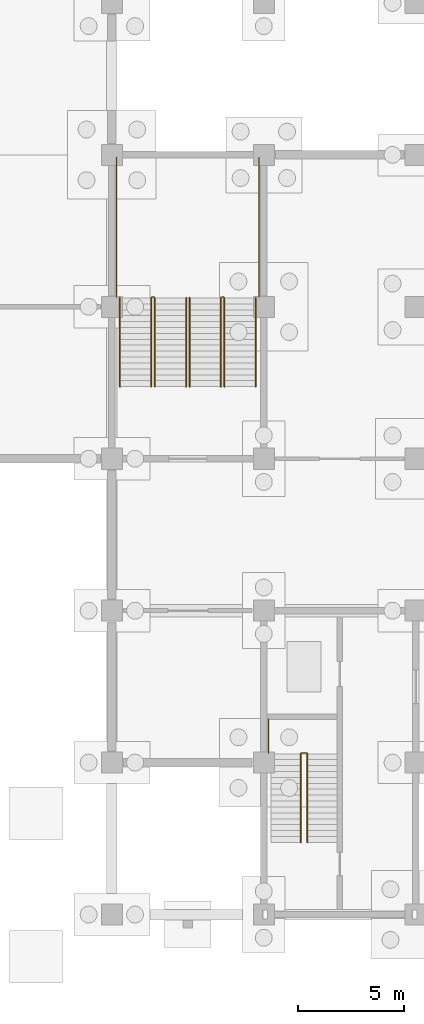
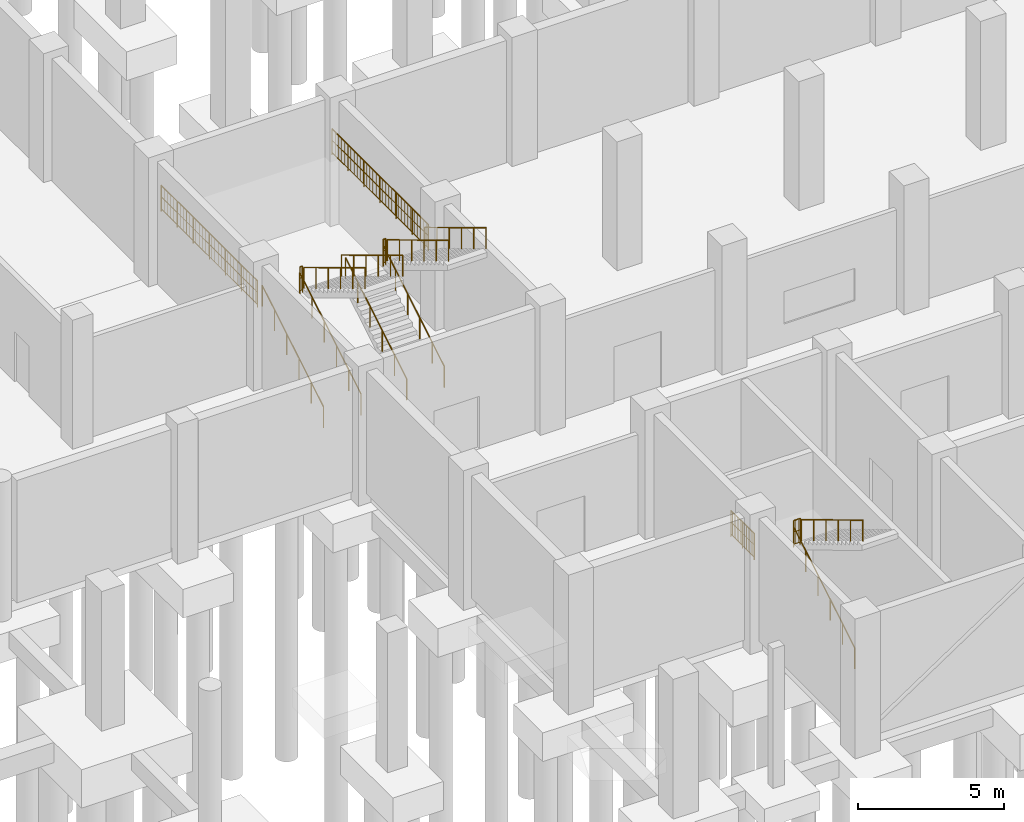
# One storey, part 30 of 35: 16 railings.
"""IFC4 building model written with IfcOpenShell, lengths in metres."""

from ifc_helpers import new_model, si_unit, direction, frame, origin, origin_2d, place, context, subcontext, project, spatial, circle, extrude, material, type_object, element, save


model = new_model("IFC4")

# Units and contexts
model_context = context("Model", 3, precision=1e-05, world=origin(), true_north=direction((0.0, 1.0)))
body_context = subcontext(model_context, "Body", "Model", "MODEL_VIEW")
ifc_project = project(units=[si_unit("LENGTHUNIT", "METRE"), si_unit("AREAUNIT", "SQUARE_METRE"), si_unit("VOLUMEUNIT", "CUBIC_METRE"), si_unit("PLANEANGLEUNIT", "RADIAN"), si_unit("MASSUNIT", "GRAM", prefix="KILO")], contexts=[model_context])

# Site, building, storey
site_placement = place(None, origin())
site = spatial("IfcSite", under=ifc_project, at=site_placement, CompositionType="ELEMENT")
building_placement = place(site_placement, origin())
building = spatial("IfcBuilding", under=site, at=building_placement, Name="Vesperath Aquatics Centre", CompositionType="ELEMENT")
storey_placement = place(building_placement, frame((0.0, 0.0, -5.39990234375)))
storey = spatial("IfcBuildingStorey", under=building, at=storey_placement, Name="B1", CompositionType="ELEMENT", Elevation=-5.39990234375)

# Railings
ifc_material_1 = material(Name="Powder-coated galvanized steel safety guard", Category="steel")
railing_type_1 = type_object("IfcRailingType", Name="RL-GRD01", PredefinedType="GUARDRAIL", material=ifc_material_1)
railing_1_placement = place(storey_placement, frame((124.179931640625, 7.659912109375, 2.699951171875)))
element("IfcRailing", 1, at=railing_1_placement, inside=storey, type_object=railing_type_1, Name="Stair ST5 Half-Landing Slot Guard GR02 B1", PredefinedType="GUARDRAIL", context=body_context, shape_type="SweptSolid", body=[
    extrude(circle(Radius=0.02392578125, at=origin_2d()), frame((0.0, 0.0, 1.0859375), z_axis=(1.0, 0.0, 0.0), x_axis=(0.0, 1.0, 0.0)), (0.0, 0.0, 1.0), 0.260009765625),
    extrude(circle(Radius=0.01611328125, at=origin_2d()), frame((0.0, 0.0, 0.10009765625), z_axis=(1.0, 0.0, 0.0), x_axis=(0.0, 1.0, 0.0)), (0.0, 0.0, 1.0), 0.260009765625),
    extrude(circle(Radius=0.01611328125, at=origin_2d()), frame((0.0, 0.0, 0.610595703125), z_axis=(1.0, 0.0, 0.0), x_axis=(0.0, 1.0, 0.0)), (0.0, 0.0, 1.0), 0.260009765625),
    extrude(circle(Radius=0.009033203125, at=origin_2d()), frame((0.086669921875, 0.0, 0.10009765625)), (0.0, 0.0, 1.0), 0.9619140625),
    extrude(circle(Radius=0.009033203125, at=origin_2d()), frame((0.17333984375, 0.0, 0.10009765625)), (0.0, 0.0, 1.0), 0.9619140625),
    extrude(circle(Radius=0.02197265625, at=origin_2d()), origin(), (0.0, 0.0, 1.0), 1.0859375),
    extrude(circle(Radius=0.02197265625, at=origin_2d()), frame((0.260009765625, 0.0, 0.0)), (0.0, 0.0, 1.0), 1.0859375),
])
railing_2_placement = place(storey_placement, frame((122.6201171875, 7.659912109375, 2.699951171875)))
element("IfcRailing", 2, at=railing_2_placement, inside=storey, type_object=railing_type_1, Name="Stair ST5 Half-Landing Wall Guard GR02 B1", PredefinedType="GUARDRAIL", context=body_context, shape_type="SweptSolid", body=[
    extrude(circle(Radius=0.02392578125, at=origin_2d()), frame((0.0, 0.0, 1.0859375), z_axis=(0.0, 1.0, 0.0), x_axis=(-1.0, 0.0, 0.0)), (0.0, 0.0, 1.0), 1.60009765625),
    extrude(circle(Radius=0.01611328125, at=origin_2d()), frame((0.0, 0.0, 0.10009765625), z_axis=(0.0, 1.0, 0.0), x_axis=(-1.0, 0.0, 0.0)), (0.0, 0.0, 1.0), 1.60009765625),
    extrude(circle(Radius=0.01611328125, at=origin_2d()), frame((0.0, 0.0, 0.610595703125), z_axis=(0.0, 1.0, 0.0), x_axis=(-1.0, 0.0, 0.0)), (0.0, 0.0, 1.0), 1.60009765625),
    extrude(circle(Radius=0.009033203125, at=origin_2d()), frame((0.0, 0.106689453125, 0.10009765625)), (0.0, 0.0, 1.0), 0.9619140625),
    extrude(circle(Radius=0.009033203125, at=origin_2d()), frame((0.0, 0.21337890625, 0.10009765625)), (0.0, 0.0, 1.0), 0.9619140625),
    extrude(circle(Radius=0.009033203125, at=origin_2d()), frame((0.0, 0.320068359375, 0.10009765625)), (0.0, 0.0, 1.0), 0.9619140625),
    extrude(circle(Radius=0.009033203125, at=origin_2d()), frame((0.0, 0.4267578125, 0.10009765625)), (0.0, 0.0, 1.0), 0.9619140625),
    extrude(circle(Radius=0.009033203125, at=origin_2d()), frame((0.0, 0.533447265625, 0.10009765625)), (0.0, 0.0, 1.0), 0.9619140625),
    extrude(circle(Radius=0.009033203125, at=origin_2d()), frame((0.0, 0.64013671875, 0.10009765625)), (0.0, 0.0, 1.0), 0.9619140625),
    extrude(circle(Radius=0.009033203125, at=origin_2d()), frame((0.0, 0.746826171875, 0.10009765625)), (0.0, 0.0, 1.0), 0.9619140625),
    extrude(circle(Radius=0.009033203125, at=origin_2d()), frame((0.0, 0.853271484375, 0.10009765625)), (0.0, 0.0, 1.0), 0.9619140625),
    extrude(circle(Radius=0.009033203125, at=origin_2d()), frame((0.0, 0.9599609375, 0.10009765625)), (0.0, 0.0, 1.0), 0.9619140625),
    extrude(circle(Radius=0.009033203125, at=origin_2d()), frame((0.0, 1.066650390625, 0.10009765625)), (0.0, 0.0, 1.0), 0.9619140625),
    extrude(circle(Radius=0.009033203125, at=origin_2d()), frame((0.0, 1.17333984375, 0.10009765625)), (0.0, 0.0, 1.0), 0.9619140625),
    extrude(circle(Radius=0.009033203125, at=origin_2d()), frame((0.0, 1.280029296875, 0.10009765625)), (0.0, 0.0, 1.0), 0.9619140625),
    extrude(circle(Radius=0.009033203125, at=origin_2d()), frame((0.0, 1.38671875, 0.10009765625)), (0.0, 0.0, 1.0), 0.9619140625),
    extrude(circle(Radius=0.009033203125, at=origin_2d()), frame((0.0, 1.493408203125, 0.10009765625)), (0.0, 0.0, 1.0), 0.9619140625),
    extrude(circle(Radius=0.02197265625, at=origin_2d()), origin(), (0.0, 0.0, 1.0), 1.0859375),
    extrude(circle(Radius=0.02197265625, at=origin_2d()), frame((0.0, 0.800048828125, 0.0)), (0.0, 0.0, 1.0), 1.0859375),
    extrude(circle(Radius=0.02197265625, at=origin_2d()), frame((0.0, 1.60009765625, 0.0)), (0.0, 0.0, 1.0), 1.0859375),
])
railing_3_placement = place(storey_placement, frame((117.10009765625, 29.260009765625, 2.699951171875)))
element("IfcRailing", 3, at=railing_3_placement, inside=storey, type_object=railing_type_1, Name="Stair ST7A Half-Landing Slot Guard GR02 B1", PredefinedType="GUARDRAIL", context=body_context, shape_type="SweptSolid", body=[
    extrude(circle(Radius=0.02392578125, at=origin_2d()), frame((0.0, 0.0, 1.0859375), z_axis=(1.0, 0.0, 0.0), x_axis=(0.0, 1.0, 0.0)), (0.0, 0.0, 1.0), 0.099853515625),
    extrude(circle(Radius=0.01611328125, at=origin_2d()), frame((0.0, 0.0, 0.10009765625), z_axis=(1.0, 0.0, 0.0), x_axis=(0.0, 1.0, 0.0)), (0.0, 0.0, 1.0), 0.099853515625),
    extrude(circle(Radius=0.01611328125, at=origin_2d()), frame((0.0, 0.0, 0.610595703125), z_axis=(1.0, 0.0, 0.0), x_axis=(0.0, 1.0, 0.0)), (0.0, 0.0, 1.0), 0.099853515625),
    extrude(circle(Radius=0.009033203125, at=origin_2d()), frame((0.0498046875, 0.0, 0.10009765625)), (0.0, 0.0, 1.0), 0.9619140625),
    extrude(circle(Radius=0.02197265625, at=origin_2d()), origin(), (0.0, 0.0, 1.0), 1.0859375),
    extrude(circle(Radius=0.02197265625, at=origin_2d()), frame((0.099853515625, 0.0, 0.0)), (0.0, 0.0, 1.0), 1.0859375),
])
railing_4_placement = place(storey_placement, frame((115.419921875, 29.260009765625, 2.699951171875)))
element("IfcRailing", 4, at=railing_4_placement, inside=storey, type_object=railing_type_1, Name="Stair ST7A Half-Landing Wall Guard GR02 B1", PredefinedType="GUARDRAIL", context=body_context, shape_type="SweptSolid", body=[
    extrude(circle(Radius=0.02392578125, at=origin_2d()), frame((0.0, 0.0, 1.0859375), z_axis=(0.0, 1.0, 0.0), x_axis=(-1.0, 0.0, 0.0)), (0.0, 0.0, 1.0), 6.610107421875),
    extrude(circle(Radius=0.01611328125, at=origin_2d()), frame((0.0, 0.0, 0.10009765625), z_axis=(0.0, 1.0, 0.0), x_axis=(-1.0, 0.0, 0.0)), (0.0, 0.0, 1.0), 6.610107421875),
    extrude(circle(Radius=0.01611328125, at=origin_2d()), frame((0.0, 0.0, 0.610595703125), z_axis=(0.0, 1.0, 0.0), x_axis=(-1.0, 0.0, 0.0)), (0.0, 0.0, 1.0), 6.610107421875),
    extrude(circle(Radius=0.009033203125, at=origin_2d()), frame((0.0, 0.1083984375, 0.10009765625)), (0.0, 0.0, 1.0), 0.9619140625),
    extrude(circle(Radius=0.009033203125, at=origin_2d()), frame((0.0, 0.3251953125, 0.10009765625)), (0.0, 0.0, 1.0), 0.9619140625),
    extrude(circle(Radius=0.009033203125, at=origin_2d()), frame((0.0, 0.541748046875, 0.10009765625)), (0.0, 0.0, 1.0), 0.9619140625),
    extrude(circle(Radius=0.009033203125, at=origin_2d()), frame((0.0, 0.758544921875, 0.10009765625)), (0.0, 0.0, 1.0), 0.9619140625),
    extrude(circle(Radius=0.009033203125, at=origin_2d()), frame((0.0, 0.975341796875, 0.10009765625)), (0.0, 0.0, 1.0), 0.9619140625),
    extrude(circle(Radius=0.009033203125, at=origin_2d()), frame((0.0, 1.19189453125, 0.10009765625)), (0.0, 0.0, 1.0), 0.9619140625),
    extrude(circle(Radius=0.009033203125, at=origin_2d()), frame((0.0, 1.40869140625, 0.10009765625)), (0.0, 0.0, 1.0), 0.9619140625),
    extrude(circle(Radius=0.009033203125, at=origin_2d()), frame((0.0, 1.62548828125, 0.10009765625)), (0.0, 0.0, 1.0), 0.9619140625),
    extrude(circle(Radius=0.009033203125, at=origin_2d()), frame((0.0, 1.842041015625, 0.10009765625)), (0.0, 0.0, 1.0), 0.9619140625),
    extrude(circle(Radius=0.009033203125, at=origin_2d()), frame((0.0, 2.058837890625, 0.10009765625)), (0.0, 0.0, 1.0), 0.9619140625),
    extrude(circle(Radius=0.009033203125, at=origin_2d()), frame((0.0, 2.275634765625, 0.10009765625)), (0.0, 0.0, 1.0), 0.9619140625),
    extrude(circle(Radius=0.009033203125, at=origin_2d()), frame((0.0, 2.492431640625, 0.10009765625)), (0.0, 0.0, 1.0), 0.9619140625),
    extrude(circle(Radius=0.009033203125, at=origin_2d()), frame((0.0, 2.708984375, 0.10009765625)), (0.0, 0.0, 1.0), 0.9619140625),
    extrude(circle(Radius=0.009033203125, at=origin_2d()), frame((0.0, 2.92578125, 0.10009765625)), (0.0, 0.0, 1.0), 0.9619140625),
    extrude(circle(Radius=0.009033203125, at=origin_2d()), frame((0.0, 3.142578125, 0.10009765625)), (0.0, 0.0, 1.0), 0.9619140625),
    extrude(circle(Radius=0.009033203125, at=origin_2d()), frame((0.0, 3.359130859375, 0.10009765625)), (0.0, 0.0, 1.0), 0.9619140625),
    extrude(circle(Radius=0.009033203125, at=origin_2d()), frame((0.0, 3.575927734375, 0.10009765625)), (0.0, 0.0, 1.0), 0.9619140625),
    extrude(circle(Radius=0.009033203125, at=origin_2d()), frame((0.0, 3.792724609375, 0.10009765625)), (0.0, 0.0, 1.0), 0.9619140625),
    extrude(circle(Radius=0.009033203125, at=origin_2d()), frame((0.0, 4.009521484375, 0.10009765625)), (0.0, 0.0, 1.0), 0.9619140625),
    extrude(circle(Radius=0.009033203125, at=origin_2d()), frame((0.0, 4.22607421875, 0.10009765625)), (0.0, 0.0, 1.0), 0.9619140625),
    extrude(circle(Radius=0.009033203125, at=origin_2d()), frame((0.0, 4.44287109375, 0.10009765625)), (0.0, 0.0, 1.0), 0.9619140625),
    extrude(circle(Radius=0.009033203125, at=origin_2d()), frame((0.0, 4.65966796875, 0.10009765625)), (0.0, 0.0, 1.0), 0.9619140625),
    extrude(circle(Radius=0.009033203125, at=origin_2d()), frame((0.0, 4.876220703125, 0.10009765625)), (0.0, 0.0, 1.0), 0.9619140625),
    extrude(circle(Radius=0.009033203125, at=origin_2d()), frame((0.0, 5.093017578125, 0.10009765625)), (0.0, 0.0, 1.0), 0.9619140625),
    extrude(circle(Radius=0.009033203125, at=origin_2d()), frame((0.0, 5.309814453125, 0.10009765625)), (0.0, 0.0, 1.0), 0.9619140625),
    extrude(circle(Radius=0.009033203125, at=origin_2d()), frame((0.0, 5.5263671875, 0.10009765625)), (0.0, 0.0, 1.0), 0.9619140625),
    extrude(circle(Radius=0.009033203125, at=origin_2d()), frame((0.0, 5.7431640625, 0.10009765625)), (0.0, 0.0, 1.0), 0.9619140625),
    extrude(circle(Radius=0.009033203125, at=origin_2d()), frame((0.0, 5.9599609375, 0.10009765625)), (0.0, 0.0, 1.0), 0.9619140625),
    extrude(circle(Radius=0.009033203125, at=origin_2d()), frame((0.0, 6.1767578125, 0.10009765625)), (0.0, 0.0, 1.0), 0.9619140625),
    extrude(circle(Radius=0.009033203125, at=origin_2d()), frame((0.0, 6.393310546875, 0.10009765625)), (0.0, 0.0, 1.0), 0.9619140625),
    extrude(circle(Radius=0.02197265625, at=origin_2d()), origin(), (0.0, 0.0, 1.0), 1.0859375),
    extrude(circle(Radius=0.02197265625, at=origin_2d()), frame((0.0, 1.1015625, 0.0)), (0.0, 0.0, 1.0), 1.0859375),
    extrude(circle(Radius=0.02197265625, at=origin_2d()), frame((0.0, 2.203369140625, 0.0)), (0.0, 0.0, 1.0), 1.0859375),
    extrude(circle(Radius=0.02197265625, at=origin_2d()), frame((0.0, 3.30517578125, 0.0)), (0.0, 0.0, 1.0), 1.0859375),
    extrude(circle(Radius=0.02197265625, at=origin_2d()), frame((0.0, 4.40673828125, 0.0)), (0.0, 0.0, 1.0), 1.0859375),
    extrude(circle(Radius=0.02197265625, at=origin_2d()), frame((0.0, 5.50830078125, 0.0)), (0.0, 0.0, 1.0), 1.0859375),
    extrude(circle(Radius=0.02197265625, at=origin_2d()), frame((0.0, 6.610107421875, 0.0)), (0.0, 0.0, 1.0), 1.0859375),
])
railing_5_placement = place(storey_placement, frame((120.39990234375, 29.260009765625, 2.699951171875)))
element("IfcRailing", 5, at=railing_5_placement, inside=storey, type_object=railing_type_1, Name="Stair ST7B Half-Landing Slot Guard GR02 B1", PredefinedType="GUARDRAIL", context=body_context, shape_type="SweptSolid", body=[
    extrude(circle(Radius=0.02392578125, at=origin_2d()), frame((0.0, 0.0, 1.0859375), z_axis=(1.0, 0.0, 0.0), x_axis=(0.0, 1.0, 0.0)), (0.0, 0.0, 1.0), 0.10009765625),
    extrude(circle(Radius=0.01611328125, at=origin_2d()), frame((0.0, 0.0, 0.10009765625), z_axis=(1.0, 0.0, 0.0), x_axis=(0.0, 1.0, 0.0)), (0.0, 0.0, 1.0), 0.10009765625),
    extrude(circle(Radius=0.01611328125, at=origin_2d()), frame((0.0, 0.0, 0.610595703125), z_axis=(1.0, 0.0, 0.0), x_axis=(0.0, 1.0, 0.0)), (0.0, 0.0, 1.0), 0.10009765625),
    extrude(circle(Radius=0.009033203125, at=origin_2d()), frame((0.050048828125, 0.0, 0.10009765625)), (0.0, 0.0, 1.0), 0.9619140625),
    extrude(circle(Radius=0.02197265625, at=origin_2d()), origin(), (0.0, 0.0, 1.0), 1.0859375),
    extrude(circle(Radius=0.02197265625, at=origin_2d()), frame((0.10009765625, 0.0, 0.0)), (0.0, 0.0, 1.0), 1.0859375),
])
railing_6_placement = place(storey_placement, frame((122.179931640625, 29.260009765625, 2.699951171875)))
element("IfcRailing", 6, at=railing_6_placement, inside=storey, type_object=railing_type_1, Name="Stair ST7B Half-Landing Wall Guard GR02 B1", PredefinedType="GUARDRAIL", context=body_context, shape_type="SweptSolid", body=[
    extrude(circle(Radius=0.02392578125, at=origin_2d()), frame((0.0, 0.0, 1.0859375), z_axis=(0.0, 1.0, 0.0), x_axis=(-1.0, 0.0, 0.0)), (0.0, 0.0, 1.0), 6.610107421875),
    extrude(circle(Radius=0.01611328125, at=origin_2d()), frame((0.0, 0.0, 0.10009765625), z_axis=(0.0, 1.0, 0.0), x_axis=(-1.0, 0.0, 0.0)), (0.0, 0.0, 1.0), 6.610107421875),
    extrude(circle(Radius=0.01611328125, at=origin_2d()), frame((0.0, 0.0, 0.610595703125), z_axis=(0.0, 1.0, 0.0), x_axis=(-1.0, 0.0, 0.0)), (0.0, 0.0, 1.0), 6.610107421875),
    extrude(circle(Radius=0.009033203125, at=origin_2d()), frame((0.0, 0.1083984375, 0.10009765625)), (0.0, 0.0, 1.0), 0.9619140625),
    extrude(circle(Radius=0.009033203125, at=origin_2d()), frame((0.0, 0.3251953125, 0.10009765625)), (0.0, 0.0, 1.0), 0.9619140625),
    extrude(circle(Radius=0.009033203125, at=origin_2d()), frame((0.0, 0.541748046875, 0.10009765625)), (0.0, 0.0, 1.0), 0.9619140625),
    extrude(circle(Radius=0.009033203125, at=origin_2d()), frame((0.0, 0.758544921875, 0.10009765625)), (0.0, 0.0, 1.0), 0.9619140625),
    extrude(circle(Radius=0.009033203125, at=origin_2d()), frame((0.0, 0.975341796875, 0.10009765625)), (0.0, 0.0, 1.0), 0.9619140625),
    extrude(circle(Radius=0.009033203125, at=origin_2d()), frame((0.0, 1.19189453125, 0.10009765625)), (0.0, 0.0, 1.0), 0.9619140625),
    extrude(circle(Radius=0.009033203125, at=origin_2d()), frame((0.0, 1.40869140625, 0.10009765625)), (0.0, 0.0, 1.0), 0.9619140625),
    extrude(circle(Radius=0.009033203125, at=origin_2d()), frame((0.0, 1.62548828125, 0.10009765625)), (0.0, 0.0, 1.0), 0.9619140625),
    extrude(circle(Radius=0.009033203125, at=origin_2d()), frame((0.0, 1.842041015625, 0.10009765625)), (0.0, 0.0, 1.0), 0.9619140625),
    extrude(circle(Radius=0.009033203125, at=origin_2d()), frame((0.0, 2.058837890625, 0.10009765625)), (0.0, 0.0, 1.0), 0.9619140625),
    extrude(circle(Radius=0.009033203125, at=origin_2d()), frame((0.0, 2.275634765625, 0.10009765625)), (0.0, 0.0, 1.0), 0.9619140625),
    extrude(circle(Radius=0.009033203125, at=origin_2d()), frame((0.0, 2.492431640625, 0.10009765625)), (0.0, 0.0, 1.0), 0.9619140625),
    extrude(circle(Radius=0.009033203125, at=origin_2d()), frame((0.0, 2.708984375, 0.10009765625)), (0.0, 0.0, 1.0), 0.9619140625),
    extrude(circle(Radius=0.009033203125, at=origin_2d()), frame((0.0, 2.92578125, 0.10009765625)), (0.0, 0.0, 1.0), 0.9619140625),
    extrude(circle(Radius=0.009033203125, at=origin_2d()), frame((0.0, 3.142578125, 0.10009765625)), (0.0, 0.0, 1.0), 0.9619140625),
    extrude(circle(Radius=0.009033203125, at=origin_2d()), frame((0.0, 3.359130859375, 0.10009765625)), (0.0, 0.0, 1.0), 0.9619140625),
    extrude(circle(Radius=0.009033203125, at=origin_2d()), frame((0.0, 3.575927734375, 0.10009765625)), (0.0, 0.0, 1.0), 0.9619140625),
    extrude(circle(Radius=0.009033203125, at=origin_2d()), frame((0.0, 3.792724609375, 0.10009765625)), (0.0, 0.0, 1.0), 0.9619140625),
    extrude(circle(Radius=0.009033203125, at=origin_2d()), frame((0.0, 4.009521484375, 0.10009765625)), (0.0, 0.0, 1.0), 0.9619140625),
    extrude(circle(Radius=0.009033203125, at=origin_2d()), frame((0.0, 4.22607421875, 0.10009765625)), (0.0, 0.0, 1.0), 0.9619140625),
    extrude(circle(Radius=0.009033203125, at=origin_2d()), frame((0.0, 4.44287109375, 0.10009765625)), (0.0, 0.0, 1.0), 0.9619140625),
    extrude(circle(Radius=0.009033203125, at=origin_2d()), frame((0.0, 4.65966796875, 0.10009765625)), (0.0, 0.0, 1.0), 0.9619140625),
    extrude(circle(Radius=0.009033203125, at=origin_2d()), frame((0.0, 4.876220703125, 0.10009765625)), (0.0, 0.0, 1.0), 0.9619140625),
    extrude(circle(Radius=0.009033203125, at=origin_2d()), frame((0.0, 5.093017578125, 0.10009765625)), (0.0, 0.0, 1.0), 0.9619140625),
    extrude(circle(Radius=0.009033203125, at=origin_2d()), frame((0.0, 5.309814453125, 0.10009765625)), (0.0, 0.0, 1.0), 0.9619140625),
    extrude(circle(Radius=0.009033203125, at=origin_2d()), frame((0.0, 5.5263671875, 0.10009765625)), (0.0, 0.0, 1.0), 0.9619140625),
    extrude(circle(Radius=0.009033203125, at=origin_2d()), frame((0.0, 5.7431640625, 0.10009765625)), (0.0, 0.0, 1.0), 0.9619140625),
    extrude(circle(Radius=0.009033203125, at=origin_2d()), frame((0.0, 5.9599609375, 0.10009765625)), (0.0, 0.0, 1.0), 0.9619140625),
    extrude(circle(Radius=0.009033203125, at=origin_2d()), frame((0.0, 6.1767578125, 0.10009765625)), (0.0, 0.0, 1.0), 0.9619140625),
    extrude(circle(Radius=0.009033203125, at=origin_2d()), frame((0.0, 6.393310546875, 0.10009765625)), (0.0, 0.0, 1.0), 0.9619140625),
    extrude(circle(Radius=0.02197265625, at=origin_2d()), origin(), (0.0, 0.0, 1.0), 1.0859375),
    extrude(circle(Radius=0.02197265625, at=origin_2d()), frame((0.0, 1.1015625, 0.0)), (0.0, 0.0, 1.0), 1.0859375),
    extrude(circle(Radius=0.02197265625, at=origin_2d()), frame((0.0, 2.203369140625, 0.0)), (0.0, 0.0, 1.0), 1.0859375),
    extrude(circle(Radius=0.02197265625, at=origin_2d()), frame((0.0, 3.30517578125, 0.0)), (0.0, 0.0, 1.0), 1.0859375),
    extrude(circle(Radius=0.02197265625, at=origin_2d()), frame((0.0, 4.40673828125, 0.0)), (0.0, 0.0, 1.0), 1.0859375),
    extrude(circle(Radius=0.02197265625, at=origin_2d()), frame((0.0, 5.50830078125, 0.0)), (0.0, 0.0, 1.0), 1.0859375),
    extrude(circle(Radius=0.02197265625, at=origin_2d()), frame((0.0, 6.610107421875, 0.0)), (0.0, 0.0, 1.0), 1.0859375),
])
ifc_material_2 = material(Name="Brushed stainless steel tubular handrail", Category="steel")
railing_type_2 = type_object("IfcRailingType", Name="RL-HND01", PredefinedType="HANDRAIL", material=ifc_material_2)
railing_7_placement = place(storey_placement, frame((124.14990234375, 3.419921875, 0.168701171875)))
element("IfcRailing", 7, at=railing_7_placement, inside=storey, type_object=railing_type_2, Name="Stair ST5 Flight 1 Handrail HR01 B1", PredefinedType="HANDRAIL", context=body_context, shape_type="SweptSolid", body=[
    extrude(circle(Radius=0.02392578125, at=origin_2d()), frame((0.0, 0.0, 0.8759765625), z_axis=(0.0, 0.856489757249, 0.516164020179), x_axis=(-1.0, 0.0, 0.0)), (0.0, 0.0, 1.0), 4.904052734375),
    extrude(circle(Radius=0.02197265625, at=origin_2d()), origin(), (0.0, 0.0, 1.0), 0.8759765625),
    extrude(circle(Radius=0.02197265625, at=origin_2d()), frame((0.0, 0.840087890625, 0.50634765625)), (0.0, 0.0, 1.0), 0.8759765625),
    extrude(circle(Radius=0.02197265625, at=origin_2d()), frame((0.0, 1.68017578125, 1.012451171875)), (0.0, 0.0, 1.0), 0.8759765625),
    extrude(circle(Radius=0.02197265625, at=origin_2d()), frame((0.0, 2.52001953125, 1.518798828125)), (0.0, 0.0, 1.0), 0.8759765625),
    extrude(circle(Radius=0.02197265625, at=origin_2d()), frame((0.0, 3.360107421875, 2.02490234375)), (0.0, 0.0, 1.0), 0.8759765625),
    extrude(circle(Radius=0.02197265625, at=origin_2d()), frame((0.0, 4.2001953125, 2.53125)), (0.0, 0.0, 1.0), 0.8759765625),
])
railing_8_placement = place(storey_placement, frame((124.469970703125, 7.6201171875, 2.86865234375)))
element("IfcRailing", 8, at=railing_8_placement, inside=storey, type_object=railing_type_2, Name="Stair ST5 Flight 2 Handrail HR01 B1", PredefinedType="HANDRAIL", context=body_context, shape_type="SweptSolid", body=[
    extrude(circle(Radius=0.02392578125, at=origin_2d()), frame((0.0, 0.0, 0.8759765625), z_axis=(0.0, -0.856489757249, 0.516164020179), x_axis=(1.0, 0.0, 0.0)), (0.0, 0.0, 1.0), 4.904052734375),
    extrude(circle(Radius=0.02197265625, at=origin_2d()), origin(), (0.0, 0.0, 1.0), 0.8759765625),
    extrude(circle(Radius=0.02197265625, at=origin_2d()), frame((0.0, -0.840087890625, 0.50634765625)), (0.0, 0.0, 1.0), 0.8759765625),
    extrude(circle(Radius=0.02197265625, at=origin_2d()), frame((0.0, -1.68017578125, 1.012451171875)), (0.0, 0.0, 1.0), 0.8759765625),
    extrude(circle(Radius=0.02197265625, at=origin_2d()), frame((0.0, -2.52001953125, 1.518798828125)), (0.0, 0.0, 1.0), 0.8759765625),
    extrude(circle(Radius=0.02197265625, at=origin_2d()), frame((0.0, -3.360107421875, 2.02490234375)), (0.0, 0.0, 1.0), 0.8759765625),
    extrude(circle(Radius=0.02197265625, at=origin_2d()), frame((0.0, -4.2001953125, 2.53125)), (0.0, 0.0, 1.0), 0.8759765625),
])
railing_9_placement = place(storey_placement, frame((117.070068359375, 25.02001953125, 0.168701171875)))
element("IfcRailing", 9, at=railing_9_placement, inside=storey, type_object=railing_type_2, Name="Stair ST7A Flight 1 Handrail HR01 B1", PredefinedType="HANDRAIL", context=body_context, shape_type="SweptSolid", body=[
    extrude(circle(Radius=0.02392578125, at=origin_2d()), frame((0.0, 0.0, 0.8759765625), z_axis=(0.0, 0.856476492594, 0.516186030065), x_axis=(-1.0, 0.0, 0.0)), (0.0, 0.0, 1.0), 4.90380859375),
    extrude(circle(Radius=0.02197265625, at=origin_2d()), origin(), (0.0, 0.0, 1.0), 0.8759765625),
    extrude(circle(Radius=0.02197265625, at=origin_2d()), frame((0.0, 0.840087890625, 0.50634765625)), (0.0, 0.0, 1.0), 0.8759765625),
    extrude(circle(Radius=0.02197265625, at=origin_2d()), frame((0.0, 1.679931640625, 1.012451171875)), (0.0, 0.0, 1.0), 0.8759765625),
    extrude(circle(Radius=0.02197265625, at=origin_2d()), frame((0.0, 2.52001953125, 1.518798828125)), (0.0, 0.0, 1.0), 0.8759765625),
    extrude(circle(Radius=0.02197265625, at=origin_2d()), frame((0.0, 3.35986328125, 2.02490234375)), (0.0, 0.0, 1.0), 0.8759765625),
    extrude(circle(Radius=0.02197265625, at=origin_2d()), frame((0.0, 4.199951171875, 2.53125)), (0.0, 0.0, 1.0), 0.8759765625),
])
railing_10_placement = place(storey_placement, frame((117.22998046875, 29.219970703125, 2.86865234375)))
element("IfcRailing", 10, at=railing_10_placement, inside=storey, type_object=railing_type_2, Name="Stair ST7A Flight 2 Handrail HR01 B1", PredefinedType="HANDRAIL", context=body_context, shape_type="SweptSolid", body=[
    extrude(circle(Radius=0.02392578125, at=origin_2d()), frame((0.0, 0.0, 0.8759765625), z_axis=(0.0, -0.856476492594, 0.516186030065), x_axis=(1.0, 0.0, 0.0)), (0.0, 0.0, 1.0), 4.90380859375),
    extrude(circle(Radius=0.02197265625, at=origin_2d()), origin(), (0.0, 0.0, 1.0), 0.8759765625),
    extrude(circle(Radius=0.02197265625, at=origin_2d()), frame((0.0, -0.840087890625, 0.50634765625)), (0.0, 0.0, 1.0), 0.8759765625),
    extrude(circle(Radius=0.02197265625, at=origin_2d()), frame((0.0, -1.679931640625, 1.012451171875)), (0.0, 0.0, 1.0), 0.8759765625),
    extrude(circle(Radius=0.02197265625, at=origin_2d()), frame((0.0, -2.52001953125, 1.518798828125)), (0.0, 0.0, 1.0), 0.8759765625),
    extrude(circle(Radius=0.02197265625, at=origin_2d()), frame((0.0, -3.35986328125, 2.02490234375)), (0.0, 0.0, 1.0), 0.8759765625),
    extrude(circle(Radius=0.02197265625, at=origin_2d()), frame((0.0, -4.199951171875, 2.53125)), (0.0, 0.0, 1.0), 0.8759765625),
])
railing_11_placement = place(storey_placement, frame((115.580078125, 25.02001953125, 0.168701171875)))
element("IfcRailing", 11, at=railing_11_placement, inside=storey, type_object=railing_type_2, Name="Stair ST7A Flight 1 Handrail HR01 B1", PredefinedType="HANDRAIL", context=body_context, shape_type="SweptSolid", body=[
    extrude(circle(Radius=0.02392578125, at=origin_2d()), frame((0.0, 0.0, 0.8759765625), z_axis=(0.0, 0.856476492594, 0.516186030065), x_axis=(-1.0, 0.0, 0.0)), (0.0, 0.0, 1.0), 4.90380859375),
    extrude(circle(Radius=0.02197265625, at=origin_2d()), origin(), (0.0, 0.0, 1.0), 0.8759765625),
    extrude(circle(Radius=0.02197265625, at=origin_2d()), frame((0.0, 0.840087890625, 0.50634765625)), (0.0, 0.0, 1.0), 0.8759765625),
    extrude(circle(Radius=0.02197265625, at=origin_2d()), frame((0.0, 1.679931640625, 1.012451171875)), (0.0, 0.0, 1.0), 0.8759765625),
    extrude(circle(Radius=0.02197265625, at=origin_2d()), frame((0.0, 2.52001953125, 1.518798828125)), (0.0, 0.0, 1.0), 0.8759765625),
    extrude(circle(Radius=0.02197265625, at=origin_2d()), frame((0.0, 3.35986328125, 2.02490234375)), (0.0, 0.0, 1.0), 0.8759765625),
    extrude(circle(Radius=0.02197265625, at=origin_2d()), frame((0.0, 4.199951171875, 2.53125)), (0.0, 0.0, 1.0), 0.8759765625),
])
railing_12_placement = place(storey_placement, frame((118.719970703125, 29.219970703125, 2.86865234375)))
element("IfcRailing", 12, at=railing_12_placement, inside=storey, type_object=railing_type_2, Name="Stair ST7A Flight 2 Handrail HR01 B1", PredefinedType="HANDRAIL", context=body_context, shape_type="SweptSolid", body=[
    extrude(circle(Radius=0.02392578125, at=origin_2d()), frame((0.0, 0.0, 0.8759765625), z_axis=(0.0, -0.856476492594, 0.516186030065), x_axis=(1.0, 0.0, 0.0)), (0.0, 0.0, 1.0), 4.90380859375),
    extrude(circle(Radius=0.02197265625, at=origin_2d()), origin(), (0.0, 0.0, 1.0), 0.8759765625),
    extrude(circle(Radius=0.02197265625, at=origin_2d()), frame((0.0, -0.840087890625, 0.50634765625)), (0.0, 0.0, 1.0), 0.8759765625),
    extrude(circle(Radius=0.02197265625, at=origin_2d()), frame((0.0, -1.679931640625, 1.012451171875)), (0.0, 0.0, 1.0), 0.8759765625),
    extrude(circle(Radius=0.02197265625, at=origin_2d()), frame((0.0, -2.52001953125, 1.518798828125)), (0.0, 0.0, 1.0), 0.8759765625),
    extrude(circle(Radius=0.02197265625, at=origin_2d()), frame((0.0, -3.35986328125, 2.02490234375)), (0.0, 0.0, 1.0), 0.8759765625),
    extrude(circle(Radius=0.02197265625, at=origin_2d()), frame((0.0, -4.199951171875, 2.53125)), (0.0, 0.0, 1.0), 0.8759765625),
])
railing_13_placement = place(storey_placement, frame((120.3701171875, 25.02001953125, 0.168701171875)))
element("IfcRailing", 13, at=railing_13_placement, inside=storey, type_object=railing_type_2, Name="Stair ST7B Flight 1 Handrail HR01 B1", PredefinedType="HANDRAIL", context=body_context, shape_type="SweptSolid", body=[
    extrude(circle(Radius=0.02392578125, at=origin_2d()), frame((0.0, 0.0, 0.8759765625), z_axis=(0.0, 0.856476492594, 0.516186030065), x_axis=(-1.0, 0.0, 0.0)), (0.0, 0.0, 1.0), 4.90380859375),
    extrude(circle(Radius=0.02197265625, at=origin_2d()), origin(), (0.0, 0.0, 1.0), 0.8759765625),
    extrude(circle(Radius=0.02197265625, at=origin_2d()), frame((0.0, 0.840087890625, 0.50634765625)), (0.0, 0.0, 1.0), 0.8759765625),
    extrude(circle(Radius=0.02197265625, at=origin_2d()), frame((0.0, 1.679931640625, 1.012451171875)), (0.0, 0.0, 1.0), 0.8759765625),
    extrude(circle(Radius=0.02197265625, at=origin_2d()), frame((0.0, 2.52001953125, 1.518798828125)), (0.0, 0.0, 1.0), 0.8759765625),
    extrude(circle(Radius=0.02197265625, at=origin_2d()), frame((0.0, 3.35986328125, 2.02490234375)), (0.0, 0.0, 1.0), 0.8759765625),
    extrude(circle(Radius=0.02197265625, at=origin_2d()), frame((0.0, 4.199951171875, 2.53125)), (0.0, 0.0, 1.0), 0.8759765625),
])
railing_14_placement = place(storey_placement, frame((120.530029296875, 29.219970703125, 2.86865234375)))
element("IfcRailing", 14, at=railing_14_placement, inside=storey, type_object=railing_type_2, Name="Stair ST7B Flight 2 Handrail HR01 B1", PredefinedType="HANDRAIL", context=body_context, shape_type="SweptSolid", body=[
    extrude(circle(Radius=0.02392578125, at=origin_2d()), frame((0.0, 0.0, 0.8759765625), z_axis=(0.0, -0.856476492594, 0.516186030065), x_axis=(1.0, 0.0, 0.0)), (0.0, 0.0, 1.0), 4.90380859375),
    extrude(circle(Radius=0.02197265625, at=origin_2d()), origin(), (0.0, 0.0, 1.0), 0.8759765625),
    extrude(circle(Radius=0.02197265625, at=origin_2d()), frame((0.0, -0.840087890625, 0.50634765625)), (0.0, 0.0, 1.0), 0.8759765625),
    extrude(circle(Radius=0.02197265625, at=origin_2d()), frame((0.0, -1.679931640625, 1.012451171875)), (0.0, 0.0, 1.0), 0.8759765625),
    extrude(circle(Radius=0.02197265625, at=origin_2d()), frame((0.0, -2.52001953125, 1.518798828125)), (0.0, 0.0, 1.0), 0.8759765625),
    extrude(circle(Radius=0.02197265625, at=origin_2d()), frame((0.0, -3.35986328125, 2.02490234375)), (0.0, 0.0, 1.0), 0.8759765625),
    extrude(circle(Radius=0.02197265625, at=origin_2d()), frame((0.0, -4.199951171875, 2.53125)), (0.0, 0.0, 1.0), 0.8759765625),
])
railing_15_placement = place(storey_placement, frame((118.8798828125, 25.02001953125, 0.168701171875)))
element("IfcRailing", 15, at=railing_15_placement, inside=storey, type_object=railing_type_2, Name="Stair ST7B Flight 1 Handrail HR01 B1", PredefinedType="HANDRAIL", context=body_context, shape_type="SweptSolid", body=[
    extrude(circle(Radius=0.02392578125, at=origin_2d()), frame((0.0, 0.0, 0.8759765625), z_axis=(0.0, 0.856476492594, 0.516186030065), x_axis=(-1.0, 0.0, 0.0)), (0.0, 0.0, 1.0), 4.90380859375),
    extrude(circle(Radius=0.02197265625, at=origin_2d()), origin(), (0.0, 0.0, 1.0), 0.8759765625),
    extrude(circle(Radius=0.02197265625, at=origin_2d()), frame((0.0, 0.840087890625, 0.50634765625)), (0.0, 0.0, 1.0), 0.8759765625),
    extrude(circle(Radius=0.02197265625, at=origin_2d()), frame((0.0, 1.679931640625, 1.012451171875)), (0.0, 0.0, 1.0), 0.8759765625),
    extrude(circle(Radius=0.02197265625, at=origin_2d()), frame((0.0, 2.52001953125, 1.518798828125)), (0.0, 0.0, 1.0), 0.8759765625),
    extrude(circle(Radius=0.02197265625, at=origin_2d()), frame((0.0, 3.35986328125, 2.02490234375)), (0.0, 0.0, 1.0), 0.8759765625),
    extrude(circle(Radius=0.02197265625, at=origin_2d()), frame((0.0, 4.199951171875, 2.53125)), (0.0, 0.0, 1.0), 0.8759765625),
])
railing_16_placement = place(storey_placement, frame((122.02001953125, 29.219970703125, 2.86865234375)))
element("IfcRailing", 16, at=railing_16_placement, inside=storey, type_object=railing_type_2, Name="Stair ST7B Flight 2 Handrail HR01 B1", PredefinedType="HANDRAIL", context=body_context, shape_type="SweptSolid", body=[
    extrude(circle(Radius=0.02392578125, at=origin_2d()), frame((0.0, 0.0, 0.8759765625), z_axis=(0.0, -0.856476492594, 0.516186030065), x_axis=(1.0, 0.0, 0.0)), (0.0, 0.0, 1.0), 4.90380859375),
    extrude(circle(Radius=0.02197265625, at=origin_2d()), origin(), (0.0, 0.0, 1.0), 0.8759765625),
    extrude(circle(Radius=0.02197265625, at=origin_2d()), frame((0.0, -0.840087890625, 0.50634765625)), (0.0, 0.0, 1.0), 0.8759765625),
    extrude(circle(Radius=0.02197265625, at=origin_2d()), frame((0.0, -1.679931640625, 1.012451171875)), (0.0, 0.0, 1.0), 0.8759765625),
    extrude(circle(Radius=0.02197265625, at=origin_2d()), frame((0.0, -2.52001953125, 1.518798828125)), (0.0, 0.0, 1.0), 0.8759765625),
    extrude(circle(Radius=0.02197265625, at=origin_2d()), frame((0.0, -3.35986328125, 2.02490234375)), (0.0, 0.0, 1.0), 0.8759765625),
    extrude(circle(Radius=0.02197265625, at=origin_2d()), frame((0.0, -4.199951171875, 2.53125)), (0.0, 0.0, 1.0), 0.8759765625),
])

save(model, "model.ifc")
